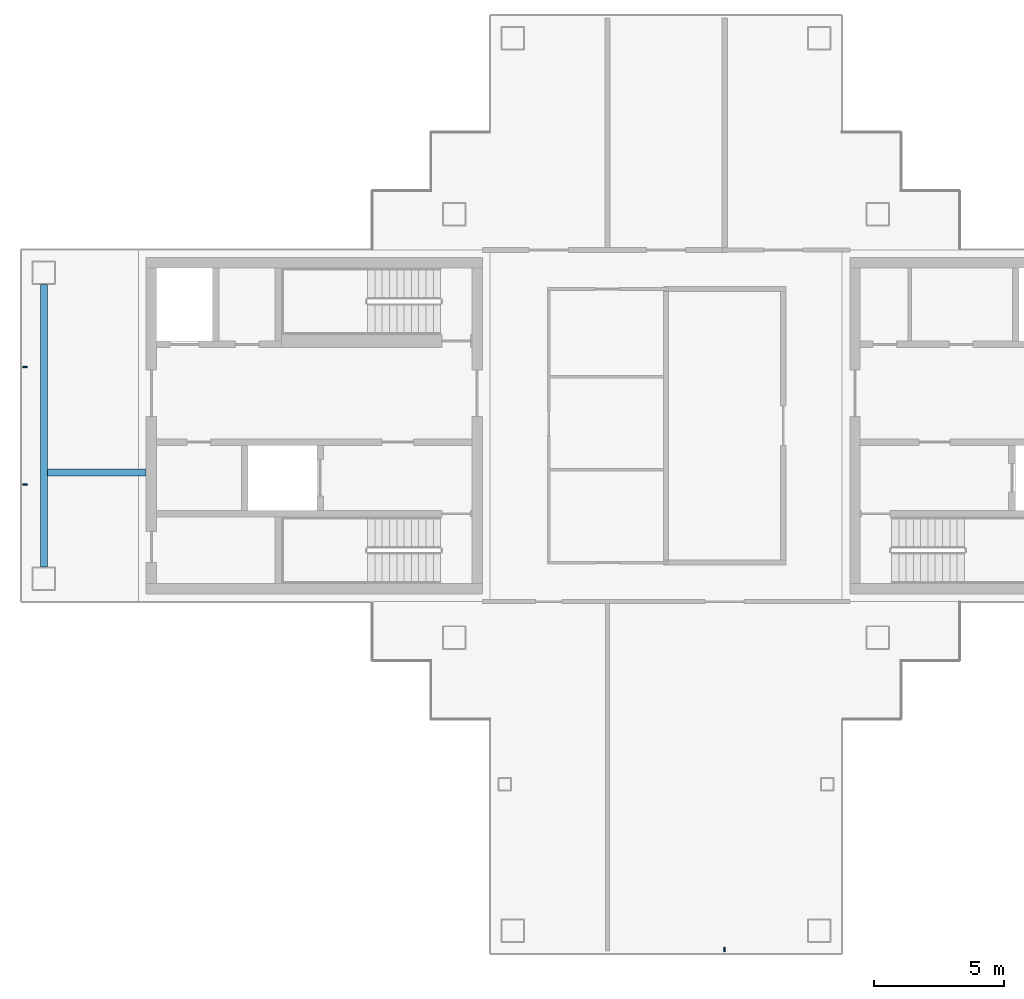
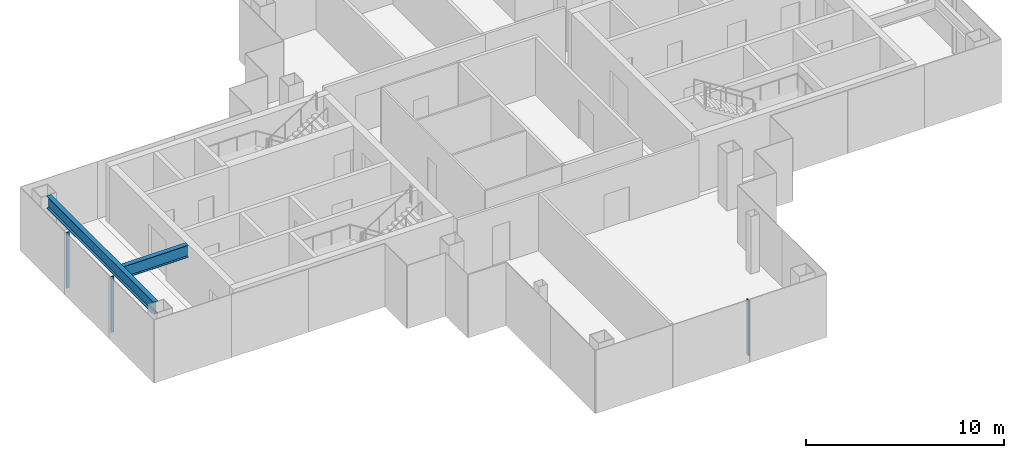
# One storey, part 3 of 16: 3 members, 2 beams, 2 elements without a shape of their own.
"""IFC4 building model written with IfcOpenShell, lengths in metres."""

from ifc_helpers import new_model, si_unit, direction, frame, origin, origin_2d, place, context, subcontext, project, spatial, rectangle, i_section, extrude, material, layer, layer_set, material_profile, profile_set, type_object, element, aggregate, save


model = new_model("IFC4")

# Units and contexts
model_context = context("Model", 3, precision=1e-05, world=origin(), true_north=direction((0.0, 1.0)))
body_context = subcontext(model_context, "Body", "Model", "MODEL_VIEW")
ifc_project = project(units=[si_unit("LENGTHUNIT", "METRE"), si_unit("AREAUNIT", "SQUARE_METRE"), si_unit("VOLUMEUNIT", "CUBIC_METRE"), si_unit("PLANEANGLEUNIT", "RADIAN"), si_unit("MASSUNIT", "GRAM", prefix="KILO")], contexts=[model_context])

# Site, building, storey
site_placement = place(None, origin())
site = spatial("IfcSite", under=ifc_project, at=site_placement, CompositionType="ELEMENT")
building_placement = place(site_placement, origin())
building = spatial("IfcBuilding", under=site, at=building_placement, Name="Shamsa Quay Exchange Towers", CompositionType="ELEMENT")
storey_placement = place(building_placement, frame((0.0, 0.0, 246.0)))
storey = spatial("IfcBuildingStorey", under=building, at=storey_placement, Name="L59", CompositionType="ELEMENT", Elevation=246.0)

# Curtain wall, member
ifc_material_1 = material(Name="Aluminium EN AW-6063 T6, black anodised", Category="aluminium")
ifc_layer = layer(ifc_material_1, 0.280029296875)
ifc_layer_set = layer_set([ifc_layer], Name="CW-1 UNITISED VISION GLASS")
curtain_wall_type = type_object("IfcCurtainWallType", Name="CW-1 UNITISED VISION GLASS", PredefinedType="NOTDEFINED", material=ifc_layer_set)
curtain_wall_1_placement = place(storey_placement, origin())
curtain_wall_1 = element("IfcCurtainWall", 1, at=curtain_wall_1_placement, inside=storey, type_object=curtain_wall_type, Name="CW1 T1-END-V- L59", PredefinedType="NOTDEFINED")
ifc_material_profile_1 = material_profile(ifc_material_1, rectangle(XDim=0.179931640625, YDim=0.06005859375, at=origin_2d()), Name="MU60x180")
ifc_profile_set_1 = profile_set([ifc_material_profile_1], Name="Aluminium EN AW-6063 T6, black anodised")
member_type = type_object("IfcMemberType", Name="CW1 MULLION 60x180", PredefinedType="MULLION", material=ifc_profile_set_1)
member_1_placement = place(storey_placement, frame((-31.5, -20.10009765625, 0.0), z_axis=(0.0, 0.0, 1.0), x_axis=(0.0, 1.0, 0.0)))
member_1 = element("IfcMember", 2, at=member_1_placement, type_object=member_type, Name="CW1 mullion", PredefinedType="MULLION", context=body_context, shape_type="SweptSolid", body=[
    extrude(rectangle(XDim=0.179931640625, YDim=0.06005859375, at=origin_2d()), origin(), (0.0, 0.0, 1.0), 3.449951171875),
])
aggregate(curtain_wall_1, [member_1])

# Curtain wall, members
curtain_wall_2_placement = place(storey_placement, origin())
curtain_wall_2 = element("IfcCurtainWall", 3, at=curtain_wall_2_placement, inside=storey, type_object=curtain_wall_type, Name="CW1 T1-END-U- L59", PredefinedType="NOTDEFINED")
member_2_placement = place(storey_placement, frame((-58.35009765625, 2.25, 0.0)))
member_2 = element("IfcMember", 4, at=member_2_placement, type_object=member_type, Name="CW1 mullion", PredefinedType="MULLION", context=body_context, shape_type="SweptSolid", body=[
    extrude(rectangle(XDim=0.179931640625, YDim=0.06005859375, at=origin_2d()), origin(), (0.0, 0.0, 1.0), 3.449951171875),
])
member_3_placement = place(storey_placement, frame((-58.35009765625, -2.25, 0.0)))
member_3 = element("IfcMember", 5, at=member_3_placement, type_object=member_type, Name="CW1 mullion", PredefinedType="MULLION", context=body_context, shape_type="SweptSolid", body=[
    extrude(rectangle(XDim=0.179931640625, YDim=0.06005859375, at=origin_2d()), origin(), (0.0, 0.0, 1.0), 3.449951171875),
])
aggregate(curtain_wall_2, [member_2, member_3])

# Beams
ifc_material_2 = material(Name="Steel S355", Category="steel")
ifc_material_profile_2 = material_profile(ifc_material_2, i_section(OverallWidth=0.26611328125, OverallDepth=0.7578125, WebThickness=0.013916015625, FlangeThickness=0.019287109375, at=origin_2d()), Name="W30x108")
ifc_profile_set_2 = profile_set([ifc_material_profile_2], Name="Steel S355")
beam_type = type_object("IfcBeamType", Name="End-zone beam W30x108", PredefinedType="BEAM", material=ifc_profile_set_2)
beam_1_placement = place(storey_placement, frame((-57.625, -5.425048828125, 3.171142578125), z_axis=(0.0, 1.0, 0.0), x_axis=(-1.0, 0.0, 0.0)))
element("IfcBeam", 6, at=beam_1_placement, inside=storey, type_object=beam_type, Name="End beam T1 U- end zone L59", PredefinedType="BEAM", context=body_context, shape_type="SweptSolid", body=[
    extrude(i_section(OverallWidth=0.26611328125, OverallDepth=0.7578125, WebThickness=0.013916015625, FlangeThickness=0.019287109375, at=origin_2d()), origin(), (0.0, 0.0, 1.0), 10.85009765625),
])
beam_2_placement = place(storey_placement, frame((-53.699951171875, -1.800048828125, 3.171142578125), z_axis=(-1.0, 0.0, 0.0), x_axis=(0.0, -1.0, 0.0)))
element("IfcBeam", 7, at=beam_2_placement, inside=storey, type_object=beam_type, Name="Spine beam T1 U- end zone L59", PredefinedType="BEAM", context=body_context, shape_type="SweptSolid", body=[
    extrude(i_section(OverallWidth=0.26611328125, OverallDepth=0.7578125, WebThickness=0.013916015625, FlangeThickness=0.019287109375, at=origin_2d()), origin(), (0.0, 0.0, 1.0), 3.7919921875),
])

save(model, "model.ifc")
